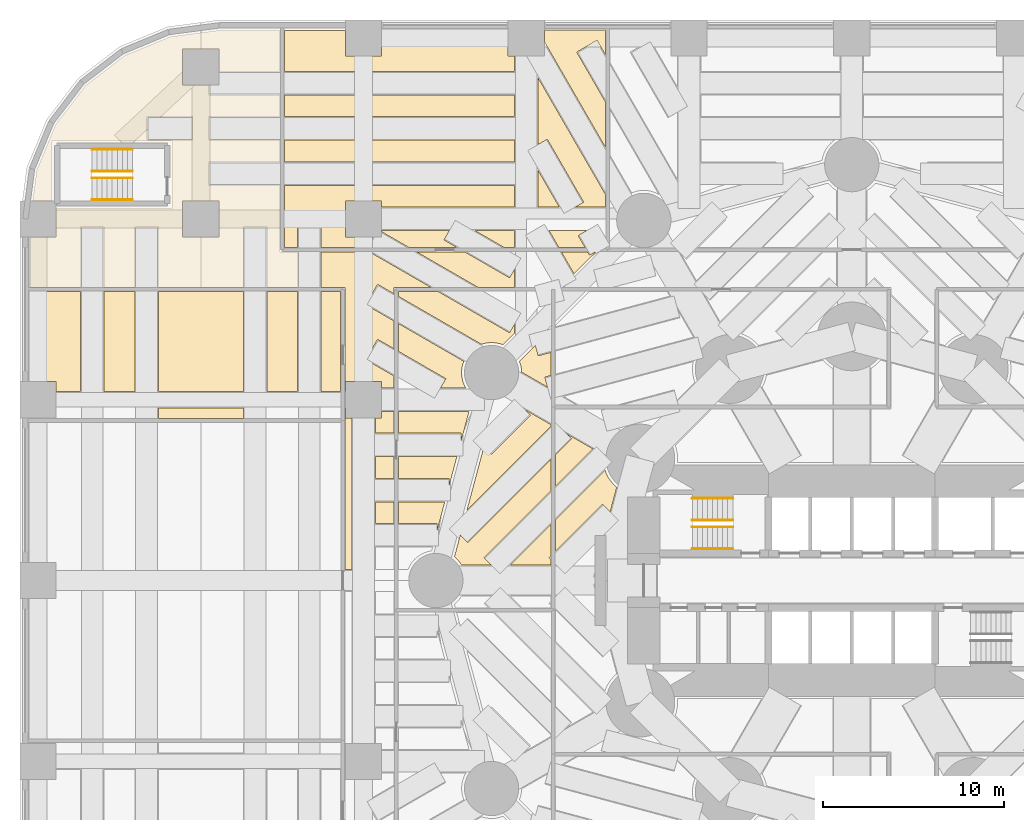
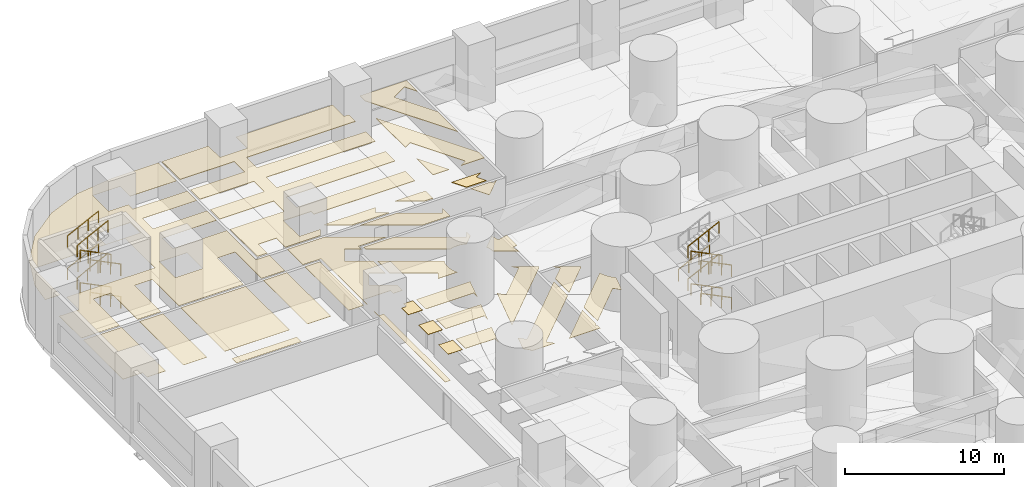
# One storey, part 14 of 17: 32 coverings, 15 railings.
"""IFC4 building model written with IfcOpenShell, lengths in metres."""

from ifc_helpers import new_model, si_unit, direction, frame, origin, origin_2d, place, context, subcontext, project, spatial, polyline, circle, outline, extrude, material, layer, layer_set, type_object, element, save


model = new_model("IFC4")

# Units and contexts
model_context = context("Model", 3, precision=1e-05, world=origin(), true_north=direction((0.0, 1.0)))
body_context = subcontext(model_context, "Body", "Model", "MODEL_VIEW")
ifc_project = project(units=[si_unit("LENGTHUNIT", "METRE"), si_unit("AREAUNIT", "SQUARE_METRE"), si_unit("VOLUMEUNIT", "CUBIC_METRE"), si_unit("PLANEANGLEUNIT", "RADIAN"), si_unit("MASSUNIT", "GRAM", prefix="KILO")], contexts=[model_context])

# Site, building, storey
site_placement = place(None, origin())
site = spatial("IfcSite", under=ifc_project, at=site_placement, CompositionType="ELEMENT")
building_placement = place(site_placement, origin())
building = spatial("IfcBuilding", under=site, at=building_placement, Name="Qaws Media Tower", CompositionType="ELEMENT")
storey_placement = place(building_placement, frame((0.0, 0.0, 15.0)))
storey = spatial("IfcBuildingStorey", under=building, at=storey_placement, Name="L02", CompositionType="ELEMENT", Elevation=15.0)

# Coverings
ifc_material_1 = material(Name="40 perforated acoustic panels with mineral wool backing, suspended", Category="mineral fibre")
ifc_layer_1 = layer(ifc_material_1, 0.0400390625)
ifc_layer_set_1 = layer_set([ifc_layer_1], Name="Acoustic panel ceiling 40")
covering_type_1 = type_object("IfcCoveringType", Name="Acoustic panel ceiling 40", PredefinedType="CEILING", material=ifc_layer_set_1)
covering_1_placement = place(storey_placement, frame((0.0, 0.0, 2.719970703125)))
element("IfcCovering", 1, at=covering_1_placement, inside=storey, type_object=covering_type_1, Name="CL3 ceiling L02-09 Master control room", PredefinedType="CEILING", context=body_context, shape_type="SweptSolid", body=[
    extrude(outline(polyline([(32.0, 80.429931640625), (32.0, 79.0), (34.0, 79.0), (34.0, 80.429931640625), (41.0, 80.429931640625), (41.0, 79.0), (41.35009765625, 79.0), (41.35009765625, 78.14990234375), (33.449951171875, 78.14990234375), (33.449951171875, 76.85009765625), (41.35009765625, 76.85009765625), (41.35009765625, 75.64990234375), (33.449951171875, 75.64990234375), (33.449951171875, 74.35009765625), (41.35009765625, 74.35009765625), (41.35009765625, 73.14990234375), (33.449951171875, 73.14990234375), (33.449951171875, 71.85009765625), (41.35009765625, 71.85009765625), (41.35009765625, 70.64990234375), (34.0, 70.64990234375), (34.0, 71.0), (32.0, 71.0), (32.0, 69.0), (33.531982421875, 69.0), (33.197265625, 68.419921875), (30.64990234375, 68.419921875), (30.64990234375, 69.550048828125), (29.35009765625, 69.550048828125), (29.35009765625, 68.419921875), (28.6201171875, 68.419921875), (28.6201171875, 71.85009765625), (32.550048828125, 71.85009765625), (32.550048828125, 73.14990234375), (28.6201171875, 73.14990234375), (28.6201171875, 74.35009765625), (32.550048828125, 74.35009765625), (32.550048828125, 75.64990234375), (28.6201171875, 75.64990234375), (28.6201171875, 76.85009765625), (32.550048828125, 76.85009765625), (32.550048828125, 78.14990234375), (28.6201171875, 78.14990234375), (28.6201171875, 80.429931640625), (32.0, 80.429931640625)])), origin(), (0.0, 0.0, 1.0), 0.0400390625),
])
covering_2_placement = place(storey_placement, frame((0.0, 0.0, 2.719970703125)))
element("IfcCovering", 2, at=covering_2_placement, inside=storey, type_object=covering_type_1, Name="CL3 ceiling L02-09 Master control room", PredefinedType="CEILING", context=body_context, shape_type="SweptSolid", body=[
    extrude(outline(polyline([(43.0, 80.429931640625), (46.3798828125, 80.429931640625), (46.3798828125, 79.066650390625), (45.913330078125, 79.875), (44.78759765625, 79.22509765625), (46.3798828125, 76.466796875), (46.3798828125, 73.948974609375), (43.0, 79.80322265625), (43.0, 80.429931640625)])), origin(), (0.0, 0.0, 1.0), 0.0400390625),
])
covering_3_placement = place(storey_placement, frame((0.0, 0.0, 2.719970703125)))
element("IfcCovering", 3, at=covering_3_placement, inside=storey, type_object=covering_type_1, Name="CL3 ceiling L02-09 Master control room", PredefinedType="CEILING", context=body_context, shape_type="SweptSolid", body=[
    extrude(outline(polyline([(46.3798828125, 70.64990234375), (44.69482421875, 70.64990234375), (45.171142578125, 70.925048828125), (43.162841796875, 74.403564453125), (42.64990234375, 74.107421875), (42.64990234375, 77.8095703125), (46.3798828125, 71.34912109375), (46.3798828125, 70.64990234375)])), origin(), (0.0, 0.0, 1.0), 0.0400390625),
])
covering_4_placement = place(storey_placement, frame((0.0, 0.0, 2.719970703125)))
element("IfcCovering", 4, at=covering_4_placement, inside=storey, type_object=covering_type_1, Name="CL3 ceiling L02-09 Master control room", PredefinedType="CEILING", context=body_context, shape_type="SweptSolid", body=[
    extrude(outline(polyline([(35.50830078125, 68.419921875), (34.0, 69.291015625), (34.0, 69.35009765625), (37.746337890625, 69.35009765625), (37.4501953125, 68.837158203125), (38.172607421875, 68.419921875), (35.50830078125, 68.419921875)])), origin(), (0.0, 0.0, 1.0), 0.0400390625),
])
covering_5_placement = place(storey_placement, frame((0.0, 0.0, 2.719970703125)))
element("IfcCovering", 5, at=covering_5_placement, inside=storey, type_object=covering_type_1, Name="CL3 ceiling L02-09 Master control room", PredefinedType="CEILING", context=body_context, shape_type="SweptSolid", body=[
    extrude(outline(polyline([(43.798583984375, 68.419921875), (43.26171875, 69.35009765625), (45.350341796875, 69.35009765625), (44.8740234375, 69.074951171875), (45.252197265625, 68.419921875), (43.798583984375, 68.419921875)])), origin(), (0.0, 0.0, 1.0), 0.0400390625),
])
covering_6_placement = place(storey_placement, frame((0.0, 0.0, 2.719970703125)))
element("IfcCovering", 6, at=covering_6_placement, inside=storey, type_object=covering_type_1, Name="CL3 ceiling L02-09 Master control room", PredefinedType="CEILING", context=body_context, shape_type="SweptSolid", body=[
    extrude(outline(polyline([(40.7724609375, 68.419921875), (39.16162109375, 69.35009765625), (41.35009765625, 69.35009765625), (41.35009765625, 68.419921875), (40.7724609375, 68.419921875)])), origin(), (0.0, 0.0, 1.0), 0.0400390625),
])
covering_7_placement = place(storey_placement, frame((0.0, 0.0, 2.719970703125)))
element("IfcCovering", 7, at=covering_7_placement, inside=storey, type_object=covering_type_1, Name="CL3 ceiling L02-09 Master control room", PredefinedType="CEILING", context=body_context, shape_type="SweptSolid", body=[
    extrude(outline(polyline([(43.828857421875, 70.64990234375), (42.64990234375, 70.64990234375), (42.64990234375, 72.69189453125), (43.828857421875, 70.64990234375)])), origin(), (0.0, 0.0, 1.0), 0.0400390625),
])
ifc_material_2 = material(Name="600 x 600 mineral fibre tiles in exposed grid, suspended", Category="mineral fibre")
ifc_layer_2 = layer(ifc_material_2, 0.02001953125)
ifc_layer_set_2 = layer_set([ifc_layer_2], Name="Mineral fibre tile ceiling 20")
covering_type_2 = type_object("IfcCoveringType", Name="Mineral fibre tile ceiling 20", PredefinedType="CEILING", material=ifc_layer_set_2)
covering_8_placement = place(storey_placement, frame((0.0, 0.0, 2.719970703125)))
element("IfcCovering", 8, at=covering_8_placement, inside=storey, type_object=covering_type_2, Name="CL1 ceiling L02-00 Production foyer", PredefinedType="CEILING", context=body_context, shape_type="SweptSolid", body=[
    extrude(outline(polyline([(27.64990234375, 66.219970703125), (27.64990234375, 69.550048828125), (26.35009765625, 69.550048828125), (26.35009765625, 66.219970703125), (21.64990234375, 66.219970703125), (21.64990234375, 69.550048828125), (20.35009765625, 69.550048828125), (20.35009765625, 66.219970703125), (18.64990234375, 66.219970703125), (18.64990234375, 69.550048828125), (17.35009765625, 69.550048828125), (17.35009765625, 66.219970703125), (14.570068359375, 66.219970703125), (14.570068359375, 69.0), (16.0, 69.0), (16.0, 70.580078125), (22.419921875, 70.580078125), (22.419921875, 74.320068359375), (15.780029296875, 74.320068359375), (15.780029296875, 71.0), (14.7041015625, 71.0), (14.927490234375, 72.698974609375), (15.969482421875, 75.2138671875), (17.62646484375, 77.37353515625), (19.7861328125, 79.030517578125), (22.301025390625, 80.072509765625), (25.017578125, 80.429931640625), (28.3798828125, 80.429931640625), (28.3798828125, 78.14990234375), (25.0, 78.14990234375), (25.0, 79.39990234375), (23.0, 79.39990234375), (23.0, 77.39990234375), (24.449951171875, 77.39990234375), (24.449951171875, 76.85009765625), (28.3798828125, 76.85009765625), (28.3798828125, 75.64990234375), (24.449951171875, 75.64990234375), (24.449951171875, 74.35009765625), (28.3798828125, 74.35009765625), (28.3798828125, 73.14990234375), (24.449951171875, 73.14990234375), (24.449951171875, 71.85009765625), (28.3798828125, 71.85009765625), (28.3798828125, 68.179931640625), (29.35009765625, 68.179931640625), (29.35009765625, 66.219970703125), (27.64990234375, 66.219970703125)]), holes=[polyline([(25.0, 69.0), (25.0, 71.0), (23.0, 71.0), (23.0, 69.0), (25.0, 69.0)]), polyline([(21.0166015625, 75.64990234375), (21.0166015625, 74.35009765625), (23.550048828125, 74.35009765625), (23.550048828125, 75.64990234375), (21.0166015625, 75.64990234375)])]), origin(), (0.0, 0.0, 1.0), 0.02001953125),
])
covering_9_placement = place(storey_placement, frame((0.0, 0.0, 2.719970703125)))
element("IfcCovering", 9, at=covering_9_placement, inside=storey, type_object=covering_type_2, Name="CL1 ceiling L02-00 Production foyer", PredefinedType="CEILING", context=body_context, shape_type="SweptSolid", body=[
    extrude(outline(polyline([(31.969970703125, 66.219970703125), (30.64990234375, 66.219970703125), (30.64990234375, 68.179931640625), (33.32421875, 68.179931640625), (36.718994140625, 66.219970703125), (34.679931640625, 66.219970703125), (34.679931640625, 65.859130859375), (33.77490234375, 66.381591796875), (33.125, 65.255615234375), (34.679931640625, 64.35791015625), (34.679931640625, 62.81982421875), (33.77490234375, 63.34228515625), (33.125, 62.216552734375), (34.679931640625, 61.318603515625), (34.679931640625, 60.64990234375), (34.0, 60.64990234375), (34.0, 61.0), (32.0, 61.0), (32.0, 60.449951171875), (31.969970703125, 60.449951171875), (31.969970703125, 66.219970703125)])), origin(), (0.0, 0.0, 1.0), 0.02001953125),
])
covering_10_placement = place(storey_placement, frame((0.0, 0.0, 2.719970703125)))
element("IfcCovering", 10, at=covering_10_placement, inside=storey, type_object=covering_type_2, Name="CL1 ceiling L02-00 Production foyer", PredefinedType="CEILING", context=body_context, shape_type="SweptSolid", body=[
    extrude(outline(polyline([(46.405517578125, 55.961669921875), (46.524658203125, 55.719970703125), (46.67431640625, 55.49609375), (46.85205078125, 55.29345703125), (47.0029296875, 55.160888671875), (46.639404296875, 53.804931640625), (46.220703125, 54.2236328125), (43.6201171875, 51.623046875), (43.6201171875, 53.3681640625), (46.356689453125, 56.10498046875), (46.405517578125, 55.961669921875)])), origin(), (0.0, 0.0, 1.0), 0.02001953125),
])
covering_11_placement = place(storey_placement, frame((0.0, 0.0, 2.719970703125)))
element("IfcCovering", 11, at=covering_11_placement, inside=storey, type_object=covering_type_2, Name="CL1 ceiling L02-00 Production foyer", PredefinedType="CEILING", context=body_context, shape_type="SweptSolid", body=[
    extrude(outline(polyline([(38.588134765625, 68.179931640625), (41.074951171875, 66.744384765625), (41.35009765625, 67.220703125), (41.35009765625, 66.219970703125), (39.31884765625, 66.219970703125), (35.924072265625, 68.179931640625), (38.588134765625, 68.179931640625)])), origin(), (0.0, 0.0, 1.0), 0.02001953125),
])
covering_12_placement = place(storey_placement, frame((0.0, 0.0, 2.719970703125)))
element("IfcCovering", 12, at=covering_12_placement, inside=storey, type_object=covering_type_2, Name="CL1 ceiling L02-00 Production foyer", PredefinedType="CEILING", context=body_context, shape_type="SweptSolid", body=[
    extrude(outline(polyline([(31.969970703125, 59.550048828125), (32.0, 59.550048828125), (32.0, 59.0), (32.35009765625, 59.0), (32.35009765625, 50.60009765625), (31.969970703125, 50.60009765625), (31.969970703125, 59.550048828125)])), origin(), (0.0, 0.0, 1.0), 0.02001953125),
])
covering_13_placement = place(storey_placement, frame((0.0, 0.0, 2.719970703125)))
element("IfcCovering", 13, at=covering_13_placement, inside=storey, type_object=covering_type_2, Name="CL1 ceiling L02-00 Production foyer", PredefinedType="CEILING", context=body_context, shape_type="SweptSolid", body=[
    extrude(outline(polyline([(43.6201171875, 56.951904296875), (44.49951171875, 57.831298828125), (44.17626953125, 58.154296875), (45.6923828125, 57.279052734375), (43.6201171875, 55.206787109375), (43.6201171875, 56.951904296875)])), origin(), (0.0, 0.0, 1.0), 0.02001953125),
])
covering_14_placement = place(storey_placement, frame((0.0, 0.0, 2.719970703125)))
element("IfcCovering", 14, at=covering_14_placement, inside=storey, type_object=covering_type_2, Name="CL1 ceiling L02-00 Production foyer", PredefinedType="CEILING", context=body_context, shape_type="SweptSolid", body=[
    extrude(outline(polyline([(34.679931640625, 55.64990234375), (33.64990234375, 55.64990234375), (33.64990234375, 56.85009765625), (34.679931640625, 56.85009765625), (34.679931640625, 55.64990234375)])), origin(), (0.0, 0.0, 1.0), 0.02001953125),
])
covering_15_placement = place(storey_placement, frame((0.0, 0.0, 2.719970703125)))
element("IfcCovering", 15, at=covering_15_placement, inside=storey, type_object=covering_type_2, Name="CL1 ceiling L02-00 Production foyer", PredefinedType="CEILING", context=body_context, shape_type="SweptSolid", body=[
    extrude(outline(polyline([(34.679931640625, 53.14990234375), (33.64990234375, 53.14990234375), (33.64990234375, 54.35009765625), (34.679931640625, 54.35009765625), (34.679931640625, 53.14990234375)])), origin(), (0.0, 0.0, 1.0), 0.02001953125),
])
covering_16_placement = place(storey_placement, frame((0.0, 0.0, 2.719970703125)))
element("IfcCovering", 16, at=covering_16_placement, inside=storey, type_object=covering_type_2, Name="CL1 ceiling L02-00 Production foyer", PredefinedType="CEILING", context=body_context, shape_type="SweptSolid", body=[
    extrude(outline(polyline([(34.679931640625, 58.14990234375), (33.64990234375, 58.14990234375), (33.64990234375, 59.0), (34.0, 59.0), (34.0, 59.35009765625), (34.679931640625, 59.35009765625), (34.679931640625, 58.14990234375)])), origin(), (0.0, 0.0, 1.0), 0.02001953125),
])
covering_17_placement = place(storey_placement, frame((0.0, 0.0, 2.719970703125)))
element("IfcCovering", 17, at=covering_17_placement, inside=storey, type_object=covering_type_2, Name="CL1 ceiling L02-00 Production foyer", PredefinedType="CEILING", context=body_context, shape_type="SweptSolid", body=[
    extrude(outline(polyline([(45.390869140625, 68.179931640625), (45.494873046875, 68.0), (45.806884765625, 68.179931640625), (45.84228515625, 68.179931640625), (44.634521484375, 66.972412109375), (43.937255859375, 68.179931640625), (45.390869140625, 68.179931640625)])), origin(), (0.0, 0.0, 1.0), 0.02001953125),
])
covering_18_placement = place(storey_placement, frame((0.0, 0.0, 2.719970703125)))
element("IfcCovering", 18, at=covering_18_placement, inside=storey, type_object=covering_type_2, Name="CL1 ceiling L02-06 Footage viewing room", PredefinedType="CEILING", context=body_context, shape_type="SweptSolid", body=[
    extrude(outline(polyline([(26.35009765625, 65.97998046875), (26.35009765625, 60.449951171875), (21.64990234375, 60.449951171875), (21.64990234375, 65.97998046875), (26.35009765625, 65.97998046875)])), origin(), (0.0, 0.0, 1.0), 0.02001953125),
])
covering_19_placement = place(storey_placement, frame((0.0, 0.0, 2.719970703125)))
element("IfcCovering", 19, at=covering_19_placement, inside=storey, type_object=covering_type_2, Name="CL1 ceiling L02-06 Footage viewing room", PredefinedType="CEILING", context=body_context, shape_type="SweptSolid", body=[
    extrude(outline(polyline([(16.0, 61.0), (14.570068359375, 61.0), (14.570068359375, 65.97998046875), (17.35009765625, 65.97998046875), (17.35009765625, 60.449951171875), (16.0, 60.449951171875), (16.0, 61.0)])), origin(), (0.0, 0.0, 1.0), 0.02001953125),
])
covering_20_placement = place(storey_placement, frame((0.0, 0.0, 2.719970703125)))
element("IfcCovering", 20, at=covering_20_placement, inside=storey, type_object=covering_type_2, Name="CL1 ceiling L02-06 Footage viewing room", PredefinedType="CEILING", context=body_context, shape_type="SweptSolid", body=[
    extrude(outline(polyline([(20.35009765625, 65.97998046875), (20.35009765625, 60.449951171875), (18.64990234375, 60.449951171875), (18.64990234375, 65.97998046875), (20.35009765625, 65.97998046875)])), origin(), (0.0, 0.0, 1.0), 0.02001953125),
])
covering_21_placement = place(storey_placement, frame((0.0, 0.0, 2.719970703125)))
element("IfcCovering", 21, at=covering_21_placement, inside=storey, type_object=covering_type_2, Name="CL1 ceiling L02-06 Footage viewing room", PredefinedType="CEILING", context=body_context, shape_type="SweptSolid", body=[
    extrude(outline(polyline([(29.35009765625, 65.97998046875), (29.35009765625, 60.449951171875), (27.64990234375, 60.449951171875), (27.64990234375, 65.97998046875), (29.35009765625, 65.97998046875)])), origin(), (0.0, 0.0, 1.0), 0.02001953125),
])
covering_22_placement = place(storey_placement, frame((0.0, 0.0, 2.719970703125)))
element("IfcCovering", 22, at=covering_22_placement, inside=storey, type_object=covering_type_2, Name="CL1 ceiling L02-06 Footage viewing room", PredefinedType="CEILING", context=body_context, shape_type="SweptSolid", body=[
    extrude(outline(polyline([(31.72998046875, 65.97998046875), (31.72998046875, 60.449951171875), (30.64990234375, 60.449951171875), (30.64990234375, 65.97998046875), (31.72998046875, 65.97998046875)])), origin(), (0.0, 0.0, 1.0), 0.02001953125),
])
covering_23_placement = place(storey_placement, frame((0.0, 0.0, 2.719970703125)))
element("IfcCovering", 23, at=covering_23_placement, inside=storey, type_object=covering_type_2, Name="CL1 ceiling L02-06 Footage viewing room", PredefinedType="CEILING", context=body_context, shape_type="SweptSolid", body=[
    extrude(outline(polyline([(21.64990234375, 58.969970703125), (21.64990234375, 59.550048828125), (26.35009765625, 59.550048828125), (26.35009765625, 58.969970703125), (21.64990234375, 58.969970703125)])), origin(), (0.0, 0.0, 1.0), 0.02001953125),
])
ifc_material_3 = material(Name="Two layers 12.5 moisture-resistant plasterboard on suspended metal furring", Category="gypsum")
ifc_layer_3 = layer(ifc_material_3, 0.02490234375)
ifc_layer_set_3 = layer_set([ifc_layer_3], Name="Plasterboard ceiling 25")
covering_type_3 = type_object("IfcCoveringType", Name="Plasterboard ceiling 25", PredefinedType="CEILING", material=ifc_layer_set_3)
covering_24_placement = place(storey_placement, frame((0.0, 0.0, 2.719970703125)))
element("IfcCovering", 24, at=covering_24_placement, inside=storey, type_object=covering_type_3, Name="CL2 ceiling L02-20 Sound effects library", PredefinedType="CEILING", context=body_context, shape_type="SweptSolid", body=[
    extrude(outline(polyline([(43.3798828125, 54.966796875), (39.6728515625, 51.259521484375), (40.08251953125, 50.85009765625), (38.42431640625, 50.85009765625), (38.31689453125, 51.010498046875), (38.173828125, 51.173828125), (38.02294921875, 51.30615234375), (38.347412109375, 52.516845703125), (38.76611328125, 52.097900390625), (43.3798828125, 56.7119140625), (43.3798828125, 54.966796875)])), origin(), (0.0, 0.0, 1.0), 0.025146484375),
])
covering_25_placement = place(storey_placement, frame((0.0, 0.0, 2.719970703125)))
element("IfcCovering", 25, at=covering_25_placement, inside=storey, type_object=covering_type_3, Name="CL2 ceiling L02-20 Sound effects library", PredefinedType="CEILING", context=body_context, shape_type="SweptSolid", body=[
    extrude(outline(polyline([(34.919921875, 65.97998046875), (37.134521484375, 65.97998046875), (41.074951171875, 63.705078125), (41.35009765625, 64.181396484375), (41.35009765625, 63.687744140625), (40.701171875, 63.038818359375), (40.510986328125, 63.103515625), (40.298095703125, 63.145751953125), (40.081298828125, 63.159912109375), (39.86474609375, 63.145751953125), (39.65185546875, 63.103515625), (39.526611328125, 63.060791015625), (34.919921875, 65.720458984375), (34.919921875, 65.97998046875)])), origin(), (0.0, 0.0, 1.0), 0.025146484375),
])
covering_26_placement = place(storey_placement, frame((0.0, 0.0, 2.719970703125)))
element("IfcCovering", 26, at=covering_26_placement, inside=storey, type_object=covering_type_3, Name="CL2 ceiling L02-20 Sound effects library", PredefinedType="CEILING", context=body_context, shape_type="SweptSolid", body=[
    extrude(outline(polyline([(43.3798828125, 58.55029296875), (38.713623046875, 53.884033203125), (39.658935546875, 57.412353515625), (40.077880859375, 56.993408203125), (42.227294921875, 59.14306640625), (41.904296875, 59.466064453125), (43.3798828125, 58.614013671875), (43.3798828125, 58.55029296875)])), origin(), (0.0, 0.0, 1.0), 0.025146484375),
])
covering_27_placement = place(storey_placement, frame((0.0, 0.0, 2.719970703125)))
element("IfcCovering", 27, at=covering_27_placement, inside=storey, type_object=covering_type_3, Name="CL2 ceiling L02-20 Sound effects library", PredefinedType="CEILING", context=body_context, shape_type="SweptSolid", body=[
    extrude(outline(polyline([(34.919921875, 64.219482421875), (38.544921875, 62.126708984375), (38.47802734375, 61.9296875), (38.435546875, 61.716796875), (38.42138671875, 61.5), (38.435546875, 61.283203125), (38.47802734375, 61.0703125), (38.5478515625, 60.86474609375), (38.643798828125, 60.669921875), (38.6572265625, 60.64990234375), (37.253662109375, 60.64990234375), (37.5498046875, 61.162841796875), (34.919921875, 62.681396484375), (34.919921875, 64.219482421875)])), origin(), (0.0, 0.0, 1.0), 0.025146484375),
])
covering_28_placement = place(storey_placement, frame((0.0, 0.0, 2.719970703125)))
element("IfcCovering", 28, at=covering_28_placement, inside=storey, type_object=covering_type_3, Name="CL2 ceiling L02-20 Sound effects library", PredefinedType="CEILING", context=body_context, shape_type="SweptSolid", body=[
    extrude(outline(polyline([(34.919921875, 59.35009765625), (38.83251953125, 59.35009765625), (38.388427734375, 57.693115234375), (38.388427734375, 58.14990234375), (34.919921875, 58.14990234375), (34.919921875, 59.35009765625)])), origin(), (0.0, 0.0, 1.0), 0.025146484375),
])
covering_29_placement = place(storey_placement, frame((0.0, 0.0, 2.719970703125)))
element("IfcCovering", 29, at=covering_29_placement, inside=storey, type_object=covering_type_3, Name="CL2 ceiling L02-20 Sound effects library", PredefinedType="CEILING", context=body_context, shape_type="SweptSolid", body=[
    extrude(outline(polyline([(34.919921875, 56.85009765625), (38.16259765625, 56.85009765625), (37.718505859375, 55.193115234375), (37.718505859375, 55.64990234375), (34.919921875, 55.64990234375), (34.919921875, 56.85009765625)])), origin(), (0.0, 0.0, 1.0), 0.025146484375),
])
covering_30_placement = place(storey_placement, frame((0.0, 0.0, 2.719970703125)))
element("IfcCovering", 30, at=covering_30_placement, inside=storey, type_object=covering_type_3, Name="CL2 ceiling L02-20 Sound effects library", PredefinedType="CEILING", context=body_context, shape_type="SweptSolid", body=[
    extrude(outline(polyline([(34.919921875, 54.35009765625), (37.49267578125, 54.35009765625), (37.048583984375, 52.693115234375), (37.048583984375, 53.14990234375), (34.919921875, 53.14990234375), (34.919921875, 54.35009765625)])), origin(), (0.0, 0.0, 1.0), 0.025146484375),
])
covering_31_placement = place(storey_placement, frame((0.0, 0.0, 2.719970703125)))
element("IfcCovering", 31, at=covering_31_placement, inside=storey, type_object=covering_type_3, Name="CL2 ceiling L02-20 Sound effects library", PredefinedType="CEILING", context=body_context, shape_type="SweptSolid", body=[
    extrude(outline(polyline([(43.3798828125, 51.383056640625), (43.256591796875, 51.259521484375), (43.3798828125, 51.13623046875), (43.3798828125, 50.85009765625), (41.101806640625, 50.85009765625), (43.3798828125, 53.128173828125), (43.3798828125, 51.383056640625)])), origin(), (0.0, 0.0, 1.0), 0.025146484375),
])
covering_32_placement = place(storey_placement, frame((0.0, 0.0, 2.719970703125)))
element("IfcCovering", 32, at=covering_32_placement, inside=storey, type_object=covering_type_3, Name="CL2 ceiling L02-20 Sound effects library", PredefinedType="CEILING", context=body_context, shape_type="SweptSolid", body=[
    extrude(outline(polyline([(43.3798828125, 61.34912109375), (43.026123046875, 61.25439453125), (43.176025390625, 60.69482421875), (41.73974609375, 61.52392578125), (41.727294921875, 61.716796875), (41.684814453125, 61.9296875), (41.620361328125, 62.11962890625), (42.506591796875, 63.006103515625), (42.659912109375, 62.433837890625), (43.3798828125, 62.626708984375), (43.3798828125, 61.34912109375)])), origin(), (0.0, 0.0, 1.0), 0.025146484375),
])

# Railings
ifc_material_4 = material(Name="Steel tube handrail", Category="steel")
railing_type = type_object("IfcRailingType", Name="Stair handrail 900", PredefinedType="HANDRAIL", material=ifc_material_4)
for number, where, name in (
    (33, (53.419921875, 51.75, 0.138916015625), "HR1 handrail S1 flight 1 L02"),
    (34, (53.419921875, 52.9599609375, 0.138916015625), "HR1 handrail S1 flight 1 L02"),
):
    element("IfcRailing", number, at=place(storey_placement, frame(where)), inside=storey, type_object=railing_type, Name=name, PredefinedType="HANDRAIL", context=body_context, shape_type="SweptSolid", body=[
        extrude(circle(Radius=0.02392578125, at=origin_2d()), frame((0.0, 0.0, 0.8759765625), z_axis=(-0.895848192791, 0.0, 0.444360231651), x_axis=(0.0, -1.0, 0.0)), (0.0, 0.0, 1.0), 2.50048828125),
        extrude(circle(Radius=0.02099609375, at=origin_2d()), origin(), (0.0, 0.0, 1.0), 0.851806640625),
        extrude(circle(Radius=0.02099609375, at=origin_2d()), frame((-0.74658203125, 0.0, 0.370361328125)), (0.0, 0.0, 1.0), 0.851806640625),
        extrude(circle(Radius=0.02099609375, at=origin_2d()), frame((-1.493408203125, 0.0, 0.74072265625)), (0.0, 0.0, 1.0), 0.851806640625),
        extrude(circle(Radius=0.02099609375, at=origin_2d()), frame((-2.239990234375, 0.0, 1.111083984375)), (0.0, 0.0, 1.0), 0.851806640625),
    ])
for number, where, name in (
    (35, (51.179931640625, 54.550048828125, 1.388916015625), "HR1 handrail S1 flight 2 L02"),
    (36, (51.179931640625, 53.340087890625, 1.388916015625), "HR1 handrail S1 flight 2 L02"),
):
    element("IfcRailing", number, at=place(storey_placement, frame(where)), inside=storey, type_object=railing_type, Name=name, PredefinedType="HANDRAIL", context=body_context, shape_type="SweptSolid", body=[
        extrude(circle(Radius=0.02392578125, at=origin_2d()), frame((0.0, 0.0, 0.8759765625), z_axis=(0.895848192791, 0.0, 0.444360231651), x_axis=(0.0, 1.0, 0.0)), (0.0, 0.0, 1.0), 2.50048828125),
        extrude(circle(Radius=0.02099609375, at=origin_2d()), origin(), (0.0, 0.0, 1.0), 0.851806640625),
        extrude(circle(Radius=0.02099609375, at=origin_2d()), frame((0.74658203125, 0.0, 0.370361328125)), (0.0, 0.0, 1.0), 0.851806640625),
        extrude(circle(Radius=0.02099609375, at=origin_2d()), frame((1.493408203125, 0.0, 0.74072265625)), (0.0, 0.0, 1.0), 0.851806640625),
        extrude(circle(Radius=0.02099609375, at=origin_2d()), frame((2.239990234375, 0.0, 1.111083984375)), (0.0, 0.0, 1.0), 0.851806640625),
    ])
for number, where, name in (
    (37, (53.419921875, 51.75, 2.638916015625), "HR1 handrail S1 flight 3 L02"),
    (38, (53.419921875, 52.9599609375, 2.638916015625), "HR1 handrail S1 flight 3 L02"),
):
    element("IfcRailing", number, at=place(storey_placement, frame(where)), inside=storey, type_object=railing_type, Name=name, PredefinedType="HANDRAIL", context=body_context, shape_type="SweptSolid", body=[
        extrude(circle(Radius=0.02392578125, at=origin_2d()), frame((0.0, 0.0, 0.8759765625), z_axis=(-0.895848192791, 0.0, 0.444360231651), x_axis=(0.0, -1.0, 0.0)), (0.0, 0.0, 1.0), 2.50048828125),
        extrude(circle(Radius=0.02099609375, at=origin_2d()), origin(), (0.0, 0.0, 1.0), 0.851806640625),
        extrude(circle(Radius=0.02099609375, at=origin_2d()), frame((-0.74658203125, 0.0, 0.370361328125)), (0.0, 0.0, 1.0), 0.851806640625),
        extrude(circle(Radius=0.02099609375, at=origin_2d()), frame((-1.493408203125, 0.0, 0.74072265625)), (0.0, 0.0, 1.0), 0.851806640625),
        extrude(circle(Radius=0.02099609375, at=origin_2d()), frame((-2.239990234375, 0.0, 1.111083984375)), (0.0, 0.0, 1.0), 0.851806640625),
    ])
railing_placement = place(storey_placement, frame((51.179931640625, 53.340087890625, 3.888916015625)))
element("IfcRailing", 39, at=railing_placement, inside=storey, type_object=railing_type, Name="HR1 handrail S1 flight 4 L02", PredefinedType="HANDRAIL", context=body_context, shape_type="SweptSolid", body=[
    extrude(circle(Radius=0.02392578125, at=origin_2d()), frame((0.0, 0.0, 0.8759765625), z_axis=(0.895848192791, 0.0, 0.444360231651), x_axis=(0.0, 1.0, 0.0)), (0.0, 0.0, 1.0), 2.50048828125),
    extrude(circle(Radius=0.02099609375, at=origin_2d()), origin(), (0.0, 0.0, 1.0), 0.851806640625),
    extrude(circle(Radius=0.02099609375, at=origin_2d()), frame((0.74658203125, 0.0, 0.370361328125)), (0.0, 0.0, 1.0), 0.851806640625),
    extrude(circle(Radius=0.02099609375, at=origin_2d()), frame((1.493408203125, 0.0, 0.74072265625)), (0.0, 0.0, 1.0), 0.851806640625),
    extrude(circle(Radius=0.02099609375, at=origin_2d()), frame((2.239990234375, 0.0, 1.111083984375)), (0.0, 0.0, 1.0), 0.851806640625),
])
for number, where, name in (
    (40, (20.219970703125, 71.050048828125, 0.138916015625), "HR1 handrail S3 flight 1 L02"),
    (41, (20.219970703125, 72.260009765625, 0.138916015625), "HR1 handrail S3 flight 1 L02"),
):
    element("IfcRailing", number, at=place(storey_placement, frame(where)), inside=storey, type_object=railing_type, Name=name, PredefinedType="HANDRAIL", context=body_context, shape_type="SweptSolid", body=[
        extrude(circle(Radius=0.02392578125, at=origin_2d()), frame((0.0, 0.0, 0.8759765625), z_axis=(-0.895848192791, 0.0, 0.444360231651), x_axis=(0.0, -1.0, 0.0)), (0.0, 0.0, 1.0), 2.50048828125),
        extrude(circle(Radius=0.02099609375, at=origin_2d()), origin(), (0.0, 0.0, 1.0), 0.851806640625),
        extrude(circle(Radius=0.02099609375, at=origin_2d()), frame((-0.74658203125, 0.0, 0.370361328125)), (0.0, 0.0, 1.0), 0.851806640625),
        extrude(circle(Radius=0.02099609375, at=origin_2d()), frame((-1.493408203125, 0.0, 0.74072265625)), (0.0, 0.0, 1.0), 0.851806640625),
        extrude(circle(Radius=0.02099609375, at=origin_2d()), frame((-2.239990234375, 0.0, 1.111083984375)), (0.0, 0.0, 1.0), 0.851806640625),
    ])
for number, where, name in (
    (42, (17.97998046875, 73.85009765625, 1.388916015625), "HR1 handrail S3 flight 2 L02"),
    (43, (17.97998046875, 72.639892578125, 1.388916015625), "HR1 handrail S3 flight 2 L02"),
):
    element("IfcRailing", number, at=place(storey_placement, frame(where)), inside=storey, type_object=railing_type, Name=name, PredefinedType="HANDRAIL", context=body_context, shape_type="SweptSolid", body=[
        extrude(circle(Radius=0.02392578125, at=origin_2d()), frame((0.0, 0.0, 0.8759765625), z_axis=(0.895848192791, 0.0, 0.444360231651), x_axis=(0.0, 1.0, 0.0)), (0.0, 0.0, 1.0), 2.50048828125),
        extrude(circle(Radius=0.02099609375, at=origin_2d()), origin(), (0.0, 0.0, 1.0), 0.851806640625),
        extrude(circle(Radius=0.02099609375, at=origin_2d()), frame((0.74658203125, 0.0, 0.370361328125)), (0.0, 0.0, 1.0), 0.851806640625),
        extrude(circle(Radius=0.02099609375, at=origin_2d()), frame((1.493408203125, 0.0, 0.74072265625)), (0.0, 0.0, 1.0), 0.851806640625),
        extrude(circle(Radius=0.02099609375, at=origin_2d()), frame((2.239990234375, 0.0, 1.111083984375)), (0.0, 0.0, 1.0), 0.851806640625),
    ])
for number, where, name in (
    (44, (20.219970703125, 71.050048828125, 2.638916015625), "HR1 handrail S3 flight 3 L02"),
    (45, (20.219970703125, 72.260009765625, 2.638916015625), "HR1 handrail S3 flight 3 L02"),
):
    element("IfcRailing", number, at=place(storey_placement, frame(where)), inside=storey, type_object=railing_type, Name=name, PredefinedType="HANDRAIL", context=body_context, shape_type="SweptSolid", body=[
        extrude(circle(Radius=0.02392578125, at=origin_2d()), frame((0.0, 0.0, 0.8759765625), z_axis=(-0.895848192791, 0.0, 0.444360231651), x_axis=(0.0, -1.0, 0.0)), (0.0, 0.0, 1.0), 2.50048828125),
        extrude(circle(Radius=0.02099609375, at=origin_2d()), origin(), (0.0, 0.0, 1.0), 0.851806640625),
        extrude(circle(Radius=0.02099609375, at=origin_2d()), frame((-0.74658203125, 0.0, 0.370361328125)), (0.0, 0.0, 1.0), 0.851806640625),
        extrude(circle(Radius=0.02099609375, at=origin_2d()), frame((-1.493408203125, 0.0, 0.74072265625)), (0.0, 0.0, 1.0), 0.851806640625),
        extrude(circle(Radius=0.02099609375, at=origin_2d()), frame((-2.239990234375, 0.0, 1.111083984375)), (0.0, 0.0, 1.0), 0.851806640625),
    ])
for number, where, name in (
    (46, (17.97998046875, 73.85009765625, 3.888916015625), "HR1 handrail S3 flight 4 L02"),
    (47, (17.97998046875, 72.639892578125, 3.888916015625), "HR1 handrail S3 flight 4 L02"),
):
    element("IfcRailing", number, at=place(storey_placement, frame(where)), inside=storey, type_object=railing_type, Name=name, PredefinedType="HANDRAIL", context=body_context, shape_type="SweptSolid", body=[
        extrude(circle(Radius=0.02392578125, at=origin_2d()), frame((0.0, 0.0, 0.8759765625), z_axis=(0.895848192791, 0.0, 0.444360231651), x_axis=(0.0, 1.0, 0.0)), (0.0, 0.0, 1.0), 2.50048828125),
        extrude(circle(Radius=0.02099609375, at=origin_2d()), origin(), (0.0, 0.0, 1.0), 0.851806640625),
        extrude(circle(Radius=0.02099609375, at=origin_2d()), frame((0.74658203125, 0.0, 0.370361328125)), (0.0, 0.0, 1.0), 0.851806640625),
        extrude(circle(Radius=0.02099609375, at=origin_2d()), frame((1.493408203125, 0.0, 0.74072265625)), (0.0, 0.0, 1.0), 0.851806640625),
        extrude(circle(Radius=0.02099609375, at=origin_2d()), frame((2.239990234375, 0.0, 1.111083984375)), (0.0, 0.0, 1.0), 0.851806640625),
    ])

save(model, "model.ifc")
